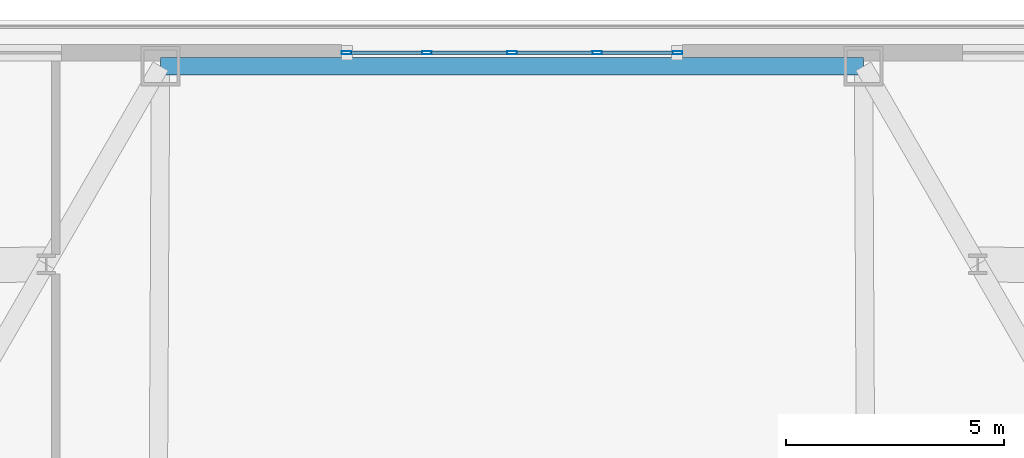
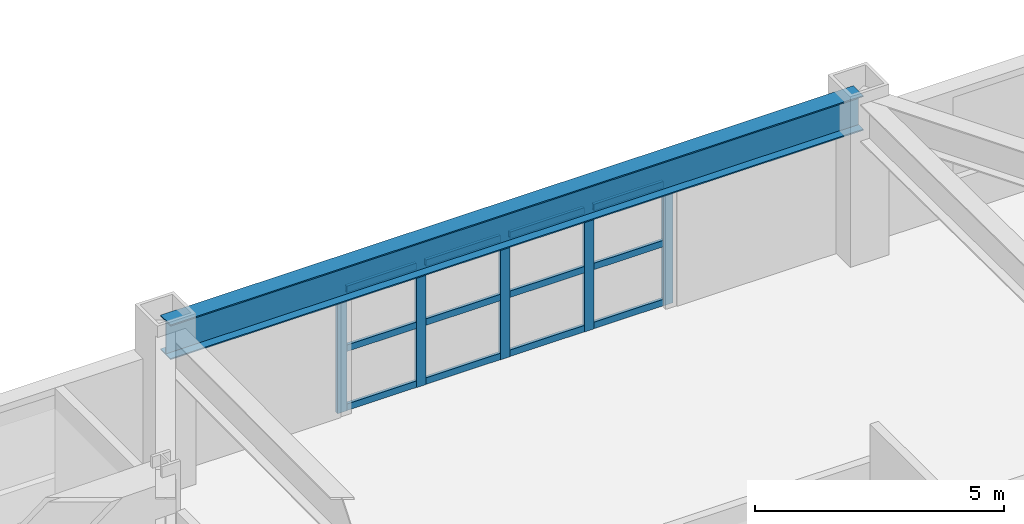
# One storey, part 4 of 16: 17 members, 1 beam, 1 element without a shape of its own.
"""IFC4 building model written with IfcOpenShell, lengths in metres."""

from ifc_helpers import new_model, si_unit, direction, frame, origin, origin_2d, place, context, subcontext, project, spatial, hollow_rectangle, i_section, extrude, material, layer, layer_set, material_profile, profile_set, type_object, element, aggregate, save


model = new_model("IFC4")

# Units and contexts
model_context = context("Model", 3, precision=1e-05, world=origin(), true_north=direction((0.0, 1.0)))
body_context = subcontext(model_context, "Body", "Model", "MODEL_VIEW")
ifc_project = project(units=[si_unit("LENGTHUNIT", "METRE"), si_unit("AREAUNIT", "SQUARE_METRE"), si_unit("VOLUMEUNIT", "CUBIC_METRE"), si_unit("PLANEANGLEUNIT", "RADIAN"), si_unit("MASSUNIT", "GRAM", prefix="KILO")], contexts=[model_context])

# Site, building, storey
site_placement = place(None, origin())
site = spatial("IfcSite", under=ifc_project, at=site_placement, CompositionType="ELEMENT")
building_placement = place(site_placement, origin())
building = spatial("IfcBuilding", under=site, at=building_placement, Name="Oramaril Tower", CompositionType="ELEMENT")
storey_placement = place(building_placement, frame((0.0, 0.0, 9.89990234375)))
storey = spatial("IfcBuildingStorey", under=building, at=storey_placement, Name="L02", CompositionType="ELEMENT", Elevation=9.89990234375)

# Beam
ifc_material_1 = material(Name="Steel ASTM A572 Gr 50", Category="steel")
ifc_material_profile_1 = material_profile(ifc_material_1, i_section(OverallWidth=0.40087890625, OverallDepth=0.85595703125, WebThickness=0.018310546875, FlangeThickness=0.029296875, at=origin_2d()), Name="W33X201")
ifc_profile_set_1 = profile_set([ifc_material_profile_1], Name="Steel ASTM A572 Gr 50")
beam_type = type_object("IfcBeamType", Name="BT-SP1", PredefinedType="SPANDREL", material=ifc_profile_set_1)
beam_placement = place(storey_placement, frame((45.548095703125, 43.639892578125, 3.4921875), z_axis=(-1.0, 0.0, 0.0), x_axis=(0.0, -1.0, 0.0)))
element("IfcBeam", 1, at=beam_placement, inside=storey, type_object=beam_type, Name="L02 Perimeter Spandrel 13", PredefinedType="SPANDREL", context=body_context, shape_type="SweptSolid", body=[
    extrude(i_section(OverallWidth=0.40087890625, OverallDepth=0.85595703125, WebThickness=0.018310546875, FlangeThickness=0.029296875, at=origin_2d()), origin(), (0.0, 0.0, 1.0), 16.09619140625),
])

# Curtain wall, members
ifc_material_2 = material(Name="Anodised Aluminium 6063-T6", Category="aluminium")
ifc_layer = layer(ifc_material_2, 0.219970703125)
ifc_layer_set = layer_set([ifc_layer], Name="CWT-SYS1")
curtain_wall_type = type_object("IfcCurtainWallType", Name="CWT-SYS1", PredefinedType="NOTDEFINED", material=ifc_layer_set)
curtain_wall_placement = place(storey_placement, origin())
curtain_wall = element("IfcCurtainWall", 2, at=curtain_wall_placement, inside=storey, type_object=curtain_wall_type, Name="L02 Unitised Curtain Wall CW-1", PredefinedType="NOTDEFINED")
ifc_material_3 = material(Name="Anodised Aluminium 6063-T6", Category="aluminium")
ifc_material_profile_2 = material_profile(ifc_material_3, hollow_rectangle(XDim=0.080078125, YDim=0.219970703125, WallThickness=0.00390625, at=origin_2d()), Name="CWM220X80")
ifc_profile_set_2 = profile_set([ifc_material_profile_2], Name="Anodised Aluminium 6063-T6")
member_type_1 = type_object("IfcMemberType", Name="MT-CWM1", PredefinedType="MULLION", material=ifc_profile_set_2)
member_1_placement = place(storey_placement, frame((41.2900390625, 43.949951171875, 0.0), z_axis=(0.0, 0.0, 1.0), x_axis=(0.0, -1.0, 0.0)))
member_1 = element("IfcMember", 3, at=member_1_placement, type_object=member_type_1, Name="CW-1 mullion 1", PredefinedType="MULLION", context=body_context, shape_type="SweptSolid", body=[
    extrude(hollow_rectangle(XDim=0.080078125, YDim=0.219970703125, WallThickness=0.00390625, at=origin_2d()), origin(), (0.0, 0.0, 1.0), 3.05419921875),
])
member_2_placement = place(storey_placement, frame((39.449951171875, 43.949951171875, 0.0), z_axis=(0.0, 0.0, 1.0), x_axis=(0.0, -1.0, 0.0)))
member_2 = element("IfcMember", 4, at=member_2_placement, type_object=member_type_1, Name="CW-1 mullion 2", PredefinedType="MULLION", context=body_context, shape_type="SweptSolid", body=[
    extrude(hollow_rectangle(XDim=0.080078125, YDim=0.219970703125, WallThickness=0.00390625, at=origin_2d()), origin(), (0.0, 0.0, 1.0), 3.05419921875),
])
member_3_placement = place(storey_placement, frame((37.5, 43.949951171875, 0.0), z_axis=(0.0, 0.0, 1.0), x_axis=(0.0, -1.0, 0.0)))
member_3 = element("IfcMember", 5, at=member_3_placement, type_object=member_type_1, Name="CW-1 mullion 3", PredefinedType="MULLION", context=body_context, shape_type="SweptSolid", body=[
    extrude(hollow_rectangle(XDim=0.080078125, YDim=0.219970703125, WallThickness=0.00390625, at=origin_2d()), origin(), (0.0, 0.0, 1.0), 3.05419921875),
])
member_4_placement = place(storey_placement, frame((35.550048828125, 43.949951171875, 0.0), z_axis=(0.0, 0.0, 1.0), x_axis=(0.0, -1.0, 0.0)))
member_4 = element("IfcMember", 6, at=member_4_placement, type_object=member_type_1, Name="CW-1 mullion 4", PredefinedType="MULLION", context=body_context, shape_type="SweptSolid", body=[
    extrude(hollow_rectangle(XDim=0.080078125, YDim=0.219970703125, WallThickness=0.00390625, at=origin_2d()), origin(), (0.0, 0.0, 1.0), 3.05419921875),
])
member_5_placement = place(storey_placement, frame((33.7099609375, 43.949951171875, 0.0), z_axis=(0.0, 0.0, 1.0), x_axis=(0.0, -1.0, 0.0)))
member_5 = element("IfcMember", 7, at=member_5_placement, type_object=member_type_1, Name="CW-1 mullion 5", PredefinedType="MULLION", context=body_context, shape_type="SweptSolid", body=[
    extrude(hollow_rectangle(XDim=0.080078125, YDim=0.219970703125, WallThickness=0.00390625, at=origin_2d()), origin(), (0.0, 0.0, 1.0), 3.05419921875),
])
ifc_material_4 = material(Name="Anodised Aluminium 6063-T6", Category="aluminium")
ifc_material_profile_3 = material_profile(ifc_material_4, hollow_rectangle(XDim=0.070068359375, YDim=0.159912109375, WallThickness=0.00390625, at=origin_2d()), Name="CWT160X70")
ifc_profile_set_3 = profile_set([ifc_material_profile_3], Name="Anodised Aluminium 6063-T6")
member_type_2 = type_object("IfcMemberType", Name="MT-CWT1", PredefinedType="USERDEFINED", material=ifc_profile_set_3)
member_6_placement = place(storey_placement, frame((41.179931640625, 43.949951171875, 0.080078125), z_axis=(-1.0, 0.0, 0.0), x_axis=(0.0, -1.0, 0.0)))
member_6 = element("IfcMember", 8, at=member_6_placement, type_object=member_type_2, Name="CW-1 transom 1.1", ObjectType="TRANSOM", PredefinedType="USERDEFINED", context=body_context, shape_type="SweptSolid", body=[
    extrude(hollow_rectangle(XDim=0.070068359375, YDim=0.159912109375, WallThickness=0.00390625, at=origin_2d()), origin(), (0.0, 0.0, 1.0), 1.619873046875),
])
member_7_placement = place(storey_placement, frame((41.179931640625, 43.949951171875, 1.527099609375), z_axis=(-1.0, 0.0, 0.0), x_axis=(0.0, -1.0, 0.0)))
member_7 = element("IfcMember", 9, at=member_7_placement, type_object=member_type_2, Name="CW-1 transom 1.2", ObjectType="TRANSOM", PredefinedType="USERDEFINED", context=body_context, shape_type="SweptSolid", body=[
    extrude(hollow_rectangle(XDim=0.070068359375, YDim=0.159912109375, WallThickness=0.00390625, at=origin_2d()), origin(), (0.0, 0.0, 1.0), 1.619873046875),
])
member_8_placement = place(storey_placement, frame((41.179931640625, 43.949951171875, 2.97412109375), z_axis=(-1.0, 0.0, 0.0), x_axis=(0.0, -1.0, 0.0)))
member_8 = element("IfcMember", 10, at=member_8_placement, type_object=member_type_2, Name="CW-1 transom 1.3", ObjectType="TRANSOM", PredefinedType="USERDEFINED", context=body_context, shape_type="SweptSolid", body=[
    extrude(hollow_rectangle(XDim=0.070068359375, YDim=0.159912109375, WallThickness=0.00390625, at=origin_2d()), origin(), (0.0, 0.0, 1.0), 1.619873046875),
])
member_9_placement = place(storey_placement, frame((39.340087890625, 43.949951171875, 0.080078125), z_axis=(-1.0, 0.0, 0.0), x_axis=(0.0, -1.0, 0.0)))
member_9 = element("IfcMember", 11, at=member_9_placement, type_object=member_type_2, Name="CW-1 transom 2.1", ObjectType="TRANSOM", PredefinedType="USERDEFINED", context=body_context, shape_type="SweptSolid", body=[
    extrude(hollow_rectangle(XDim=0.070068359375, YDim=0.159912109375, WallThickness=0.00390625, at=origin_2d()), origin(), (0.0, 0.0, 1.0), 1.72998046875),
])
member_10_placement = place(storey_placement, frame((39.340087890625, 43.949951171875, 1.527099609375), z_axis=(-1.0, 0.0, 0.0), x_axis=(0.0, -1.0, 0.0)))
member_10 = element("IfcMember", 12, at=member_10_placement, type_object=member_type_2, Name="CW-1 transom 2.2", ObjectType="TRANSOM", PredefinedType="USERDEFINED", context=body_context, shape_type="SweptSolid", body=[
    extrude(hollow_rectangle(XDim=0.070068359375, YDim=0.159912109375, WallThickness=0.00390625, at=origin_2d()), origin(), (0.0, 0.0, 1.0), 1.72998046875),
])
member_11_placement = place(storey_placement, frame((39.340087890625, 43.949951171875, 2.97412109375), z_axis=(-1.0, 0.0, 0.0), x_axis=(0.0, -1.0, 0.0)))
member_11 = element("IfcMember", 13, at=member_11_placement, type_object=member_type_2, Name="CW-1 transom 2.3", ObjectType="TRANSOM", PredefinedType="USERDEFINED", context=body_context, shape_type="SweptSolid", body=[
    extrude(hollow_rectangle(XDim=0.070068359375, YDim=0.159912109375, WallThickness=0.00390625, at=origin_2d()), origin(), (0.0, 0.0, 1.0), 1.72998046875),
])
member_12_placement = place(storey_placement, frame((37.389892578125, 43.949951171875, 0.080078125), z_axis=(-1.0, 0.0, 0.0), x_axis=(0.0, -1.0, 0.0)))
member_12 = element("IfcMember", 14, at=member_12_placement, type_object=member_type_2, Name="CW-1 transom 3.1", ObjectType="TRANSOM", PredefinedType="USERDEFINED", context=body_context, shape_type="SweptSolid", body=[
    extrude(hollow_rectangle(XDim=0.070068359375, YDim=0.159912109375, WallThickness=0.00390625, at=origin_2d()), origin(), (0.0, 0.0, 1.0), 1.72998046875),
])
member_13_placement = place(storey_placement, frame((37.389892578125, 43.949951171875, 1.527099609375), z_axis=(-1.0, 0.0, 0.0), x_axis=(0.0, -1.0, 0.0)))
member_13 = element("IfcMember", 15, at=member_13_placement, type_object=member_type_2, Name="CW-1 transom 3.2", ObjectType="TRANSOM", PredefinedType="USERDEFINED", context=body_context, shape_type="SweptSolid", body=[
    extrude(hollow_rectangle(XDim=0.070068359375, YDim=0.159912109375, WallThickness=0.00390625, at=origin_2d()), origin(), (0.0, 0.0, 1.0), 1.72998046875),
])
member_14_placement = place(storey_placement, frame((37.389892578125, 43.949951171875, 2.97412109375), z_axis=(-1.0, 0.0, 0.0), x_axis=(0.0, -1.0, 0.0)))
member_14 = element("IfcMember", 16, at=member_14_placement, type_object=member_type_2, Name="CW-1 transom 3.3", ObjectType="TRANSOM", PredefinedType="USERDEFINED", context=body_context, shape_type="SweptSolid", body=[
    extrude(hollow_rectangle(XDim=0.070068359375, YDim=0.159912109375, WallThickness=0.00390625, at=origin_2d()), origin(), (0.0, 0.0, 1.0), 1.72998046875),
])
member_15_placement = place(storey_placement, frame((35.43994140625, 43.949951171875, 0.080078125), z_axis=(-1.0, 0.0, 0.0), x_axis=(0.0, -1.0, 0.0)))
member_15 = element("IfcMember", 17, at=member_15_placement, type_object=member_type_2, Name="CW-1 transom 4.1", ObjectType="TRANSOM", PredefinedType="USERDEFINED", context=body_context, shape_type="SweptSolid", body=[
    extrude(hollow_rectangle(XDim=0.070068359375, YDim=0.159912109375, WallThickness=0.00390625, at=origin_2d()), origin(), (0.0, 0.0, 1.0), 1.619873046875),
])
member_16_placement = place(storey_placement, frame((35.43994140625, 43.949951171875, 1.527099609375), z_axis=(-1.0, 0.0, 0.0), x_axis=(0.0, -1.0, 0.0)))
member_16 = element("IfcMember", 18, at=member_16_placement, type_object=member_type_2, Name="CW-1 transom 4.2", ObjectType="TRANSOM", PredefinedType="USERDEFINED", context=body_context, shape_type="SweptSolid", body=[
    extrude(hollow_rectangle(XDim=0.070068359375, YDim=0.159912109375, WallThickness=0.00390625, at=origin_2d()), origin(), (0.0, 0.0, 1.0), 1.619873046875),
])
member_17_placement = place(storey_placement, frame((35.43994140625, 43.949951171875, 2.97412109375), z_axis=(-1.0, 0.0, 0.0), x_axis=(0.0, -1.0, 0.0)))
member_17 = element("IfcMember", 19, at=member_17_placement, type_object=member_type_2, Name="CW-1 transom 4.3", ObjectType="TRANSOM", PredefinedType="USERDEFINED", context=body_context, shape_type="SweptSolid", body=[
    extrude(hollow_rectangle(XDim=0.070068359375, YDim=0.159912109375, WallThickness=0.00390625, at=origin_2d()), origin(), (0.0, 0.0, 1.0), 1.619873046875),
])
aggregate(curtain_wall, [member_1, member_2, member_3, member_4, member_5, member_6, member_7, member_8, member_9, member_10, member_11, member_12, member_13, member_14, member_15, member_16, member_17])

save(model, "model.ifc")
